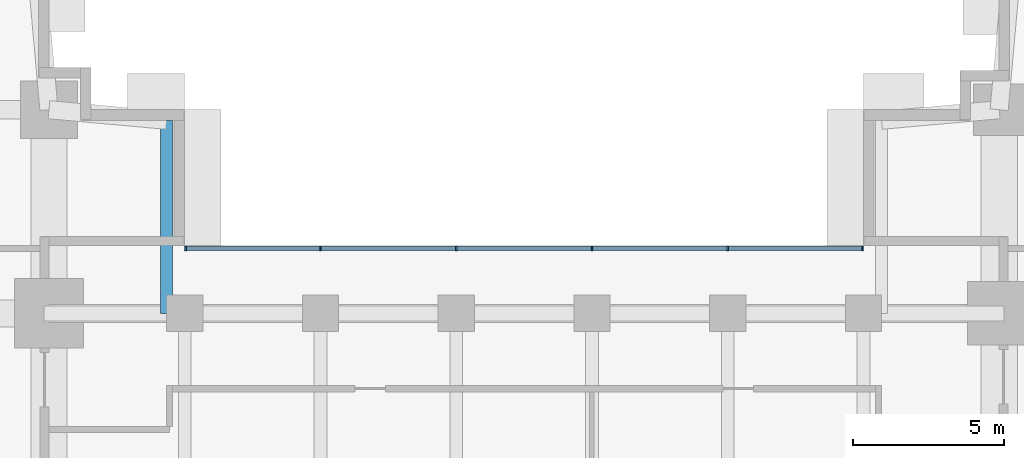
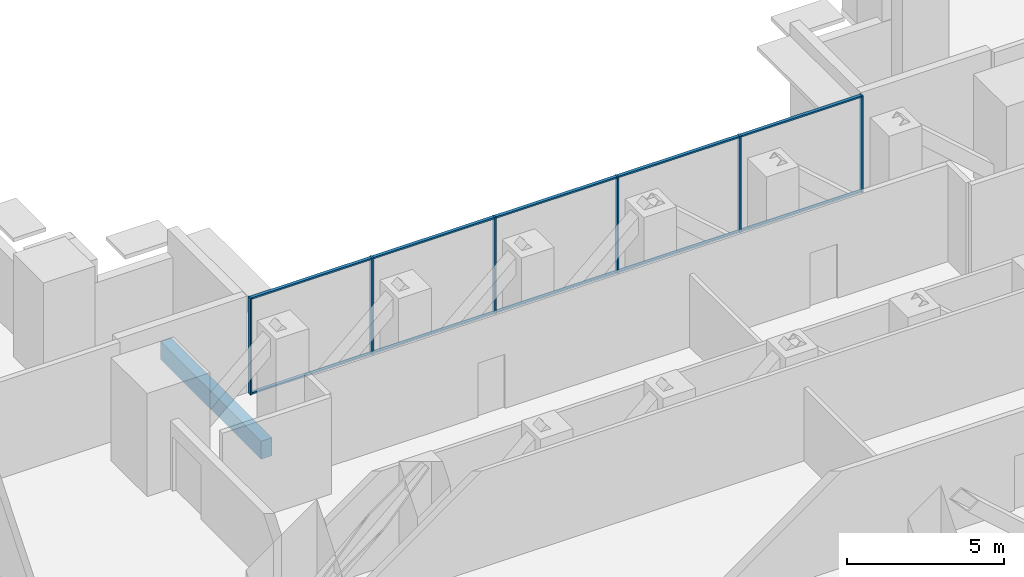
# One storey, part 4 of 16: 16 members, 1 beam, 1 element without a shape of its own.
"""IFC4 building model written with IfcOpenShell, lengths in metres."""

from ifc_helpers import new_model, si_unit, direction, frame, origin, origin_2d, place, context, subcontext, project, spatial, rectangle, extrude, material, layer, layer_set, material_profile, profile_set, type_object, element, aggregate, save


model = new_model("IFC4")

# Units and contexts
model_context = context("Model", 3, precision=1e-05, world=origin(), true_north=direction((0.0, 1.0)))
body_context = subcontext(model_context, "Body", "Model", "MODEL_VIEW")
ifc_project = project(units=[si_unit("LENGTHUNIT", "METRE"), si_unit("AREAUNIT", "SQUARE_METRE"), si_unit("VOLUMEUNIT", "CUBIC_METRE"), si_unit("PLANEANGLEUNIT", "RADIAN"), si_unit("MASSUNIT", "GRAM", prefix="KILO")], contexts=[model_context])

# Site, building, storey
site_placement = place(None, origin())
site = spatial("IfcSite", under=ifc_project, at=site_placement, CompositionType="ELEMENT")
building_placement = place(site_placement, origin())
building = spatial("IfcBuilding", under=site, at=building_placement, Name="Namib Vertical Campus", CompositionType="ELEMENT")
storey_placement = place(building_placement, frame((0.0, 0.0, 129.0)))
storey = spatial("IfcBuildingStorey", under=building, at=storey_placement, Name="L30", CompositionType="ELEMENT", Elevation=129.0)

# Curtain wall, members
ifc_material_1 = material(Name="Black aluminium curtain wall", Category="aluminium")
ifc_layer = layer(ifc_material_1, 0.199951171875)
ifc_layer_set = layer_set([ifc_layer], Name="Bridge curtain wall CW-BR")
curtain_wall_type = type_object("IfcCurtainWallType", Name="Bridge curtain wall CW-BR", PredefinedType="USERDEFINED", material=ifc_layer_set)
curtain_wall_placement = place(storey_placement, origin())
curtain_wall = element("IfcCurtainWall", 1, at=curtain_wall_placement, inside=storey, type_object=curtain_wall_type, Name="Curtain wall CW-BR L30 N", ObjectType="CURTAIN WALL", PredefinedType="USERDEFINED")
ifc_material_2 = material(Name="Black anodised aluminium", Category="aluminium")
ifc_material_profile_1 = material_profile(ifc_material_2, rectangle(XDim=0.06005859375, YDim=0.159912109375, at=origin_2d()))
ifc_profile_set_1 = profile_set([ifc_material_profile_1], Name="Black anodised aluminium")
member_type_1 = type_object("IfcMemberType", Name="Curtain wall mullion 60x160", PredefinedType="MULLION", material=ifc_profile_set_1)
member_1_placement = place(storey_placement, frame((62.969970703125, 31.39990234375, 0.0), z_axis=(0.0, 0.0, 1.0), x_axis=(-1.0, 0.0, 0.0)))
member_1 = element("IfcMember", 2, at=member_1_placement, type_object=member_type_1, Name="CW-BR mullion 1", PredefinedType="MULLION", context=body_context, shape_type="SweptSolid", body=[
    extrude(rectangle(XDim=0.06005859375, YDim=0.159912109375, at=origin_2d()), origin(), (0.0, 0.0, 1.0), 3.75),
])
member_2_placement = place(storey_placement, frame((58.5, 31.39990234375, 0.0), z_axis=(0.0, 0.0, 1.0), x_axis=(-1.0, 0.0, 0.0)))
member_2 = element("IfcMember", 3, at=member_2_placement, type_object=member_type_1, Name="CW-BR mullion 2", PredefinedType="MULLION", context=body_context, shape_type="SweptSolid", body=[
    extrude(rectangle(XDim=0.06005859375, YDim=0.159912109375, at=origin_2d()), origin(), (0.0, 0.0, 1.0), 3.75),
])
member_3_placement = place(storey_placement, frame((54.0, 31.39990234375, 0.0), z_axis=(0.0, 0.0, 1.0), x_axis=(-1.0, 0.0, 0.0)))
member_3 = element("IfcMember", 4, at=member_3_placement, type_object=member_type_1, Name="CW-BR mullion 3", PredefinedType="MULLION", context=body_context, shape_type="SweptSolid", body=[
    extrude(rectangle(XDim=0.06005859375, YDim=0.159912109375, at=origin_2d()), origin(), (0.0, 0.0, 1.0), 3.75),
])
member_4_placement = place(storey_placement, frame((49.5, 31.39990234375, 0.0), z_axis=(0.0, 0.0, 1.0), x_axis=(-1.0, 0.0, 0.0)))
member_4 = element("IfcMember", 5, at=member_4_placement, type_object=member_type_1, Name="CW-BR mullion 4", PredefinedType="MULLION", context=body_context, shape_type="SweptSolid", body=[
    extrude(rectangle(XDim=0.06005859375, YDim=0.159912109375, at=origin_2d()), origin(), (0.0, 0.0, 1.0), 3.75),
])
member_5_placement = place(storey_placement, frame((45.0, 31.39990234375, 0.0), z_axis=(0.0, 0.0, 1.0), x_axis=(-1.0, 0.0, 0.0)))
member_5 = element("IfcMember", 6, at=member_5_placement, type_object=member_type_1, Name="CW-BR mullion 5", PredefinedType="MULLION", context=body_context, shape_type="SweptSolid", body=[
    extrude(rectangle(XDim=0.06005859375, YDim=0.159912109375, at=origin_2d()), origin(), (0.0, 0.0, 1.0), 3.75),
])
member_6_placement = place(storey_placement, frame((40.530029296875, 31.39990234375, 0.0), z_axis=(0.0, 0.0, 1.0), x_axis=(-1.0, 0.0, 0.0)))
member_6 = element("IfcMember", 7, at=member_6_placement, type_object=member_type_1, Name="CW-BR mullion 6", PredefinedType="MULLION", context=body_context, shape_type="SweptSolid", body=[
    extrude(rectangle(XDim=0.06005859375, YDim=0.159912109375, at=origin_2d()), origin(), (0.0, 0.0, 1.0), 3.75),
])
ifc_material_3 = material(Name="Black anodised aluminium", Category="aluminium")
ifc_material_profile_2 = material_profile(ifc_material_3, rectangle(XDim=0.06005859375, YDim=0.1201171875, at=origin_2d()))
ifc_profile_set_2 = profile_set([ifc_material_profile_2], Name="Black anodised aluminium")
member_type_2 = type_object("IfcMemberType", Name="Curtain wall transom 60x120", PredefinedType="USERDEFINED", material=ifc_profile_set_2)
member_7_placement = place(storey_placement, frame((62.93994140625, 31.39990234375, 0.030029296875), z_axis=(-1.0, 0.0, 0.0), x_axis=(0.0, 0.0, 1.0)))
member_7 = element("IfcMember", 8, at=member_7_placement, type_object=member_type_2, Name="CW-BR transom 1.1", ObjectType="TRANSOM", PredefinedType="USERDEFINED", context=body_context, shape_type="SweptSolid", body=[
    extrude(rectangle(XDim=0.06005859375, YDim=0.1201171875, at=origin_2d()), origin(), (0.0, 0.0, 1.0), 4.409912109375),
])
member_8_placement = place(storey_placement, frame((62.93994140625, 31.39990234375, 3.719970703125), z_axis=(-1.0, 0.0, 0.0), x_axis=(0.0, 0.0, 1.0)))
member_8 = element("IfcMember", 9, at=member_8_placement, type_object=member_type_2, Name="CW-BR transom 1.2", ObjectType="TRANSOM", PredefinedType="USERDEFINED", context=body_context, shape_type="SweptSolid", body=[
    extrude(rectangle(XDim=0.06005859375, YDim=0.1201171875, at=origin_2d()), origin(), (0.0, 0.0, 1.0), 4.409912109375),
])
member_9_placement = place(storey_placement, frame((58.469970703125, 31.39990234375, 0.030029296875), z_axis=(-1.0, 0.0, 0.0), x_axis=(0.0, 0.0, 1.0)))
member_9 = element("IfcMember", 10, at=member_9_placement, type_object=member_type_2, Name="CW-BR transom 2.1", ObjectType="TRANSOM", PredefinedType="USERDEFINED", context=body_context, shape_type="SweptSolid", body=[
    extrude(rectangle(XDim=0.06005859375, YDim=0.1201171875, at=origin_2d()), origin(), (0.0, 0.0, 1.0), 4.43994140625),
])
member_10_placement = place(storey_placement, frame((58.469970703125, 31.39990234375, 3.719970703125), z_axis=(-1.0, 0.0, 0.0), x_axis=(0.0, 0.0, 1.0)))
member_10 = element("IfcMember", 11, at=member_10_placement, type_object=member_type_2, Name="CW-BR transom 2.2", ObjectType="TRANSOM", PredefinedType="USERDEFINED", context=body_context, shape_type="SweptSolid", body=[
    extrude(rectangle(XDim=0.06005859375, YDim=0.1201171875, at=origin_2d()), origin(), (0.0, 0.0, 1.0), 4.43994140625),
])
member_11_placement = place(storey_placement, frame((53.969970703125, 31.39990234375, 0.030029296875), z_axis=(-1.0, 0.0, 0.0), x_axis=(0.0, 0.0, 1.0)))
member_11 = element("IfcMember", 12, at=member_11_placement, type_object=member_type_2, Name="CW-BR transom 3.1", ObjectType="TRANSOM", PredefinedType="USERDEFINED", context=body_context, shape_type="SweptSolid", body=[
    extrude(rectangle(XDim=0.06005859375, YDim=0.1201171875, at=origin_2d()), origin(), (0.0, 0.0, 1.0), 4.43994140625),
])
member_12_placement = place(storey_placement, frame((53.969970703125, 31.39990234375, 3.719970703125), z_axis=(-1.0, 0.0, 0.0), x_axis=(0.0, 0.0, 1.0)))
member_12 = element("IfcMember", 13, at=member_12_placement, type_object=member_type_2, Name="CW-BR transom 3.2", ObjectType="TRANSOM", PredefinedType="USERDEFINED", context=body_context, shape_type="SweptSolid", body=[
    extrude(rectangle(XDim=0.06005859375, YDim=0.1201171875, at=origin_2d()), origin(), (0.0, 0.0, 1.0), 4.43994140625),
])
member_13_placement = place(storey_placement, frame((49.469970703125, 31.39990234375, 0.030029296875), z_axis=(-1.0, 0.0, 0.0), x_axis=(0.0, 0.0, 1.0)))
member_13 = element("IfcMember", 14, at=member_13_placement, type_object=member_type_2, Name="CW-BR transom 4.1", ObjectType="TRANSOM", PredefinedType="USERDEFINED", context=body_context, shape_type="SweptSolid", body=[
    extrude(rectangle(XDim=0.06005859375, YDim=0.1201171875, at=origin_2d()), origin(), (0.0, 0.0, 1.0), 4.43994140625),
])
member_14_placement = place(storey_placement, frame((49.469970703125, 31.39990234375, 3.719970703125), z_axis=(-1.0, 0.0, 0.0), x_axis=(0.0, 0.0, 1.0)))
member_14 = element("IfcMember", 15, at=member_14_placement, type_object=member_type_2, Name="CW-BR transom 4.2", ObjectType="TRANSOM", PredefinedType="USERDEFINED", context=body_context, shape_type="SweptSolid", body=[
    extrude(rectangle(XDim=0.06005859375, YDim=0.1201171875, at=origin_2d()), origin(), (0.0, 0.0, 1.0), 4.43994140625),
])
member_15_placement = place(storey_placement, frame((44.969970703125, 31.39990234375, 0.030029296875), z_axis=(-1.0, 0.0, 0.0), x_axis=(0.0, 0.0, 1.0)))
member_15 = element("IfcMember", 16, at=member_15_placement, type_object=member_type_2, Name="CW-BR transom 5.1", ObjectType="TRANSOM", PredefinedType="USERDEFINED", context=body_context, shape_type="SweptSolid", body=[
    extrude(rectangle(XDim=0.06005859375, YDim=0.1201171875, at=origin_2d()), origin(), (0.0, 0.0, 1.0), 4.409912109375),
])
member_16_placement = place(storey_placement, frame((44.969970703125, 31.39990234375, 3.719970703125), z_axis=(-1.0, 0.0, 0.0), x_axis=(0.0, 0.0, 1.0)))
member_16 = element("IfcMember", 17, at=member_16_placement, type_object=member_type_2, Name="CW-BR transom 5.2", ObjectType="TRANSOM", PredefinedType="USERDEFINED", context=body_context, shape_type="SweptSolid", body=[
    extrude(rectangle(XDim=0.06005859375, YDim=0.1201171875, at=origin_2d()), origin(), (0.0, 0.0, 1.0), 4.409912109375),
])
aggregate(curtain_wall, [member_1, member_2, member_3, member_4, member_5, member_6, member_7, member_8, member_9, member_10, member_11, member_12, member_13, member_14, member_15, member_16])

# Beam
ifc_material_4 = material(Name="Concrete C40/50", Category="concrete")
ifc_material_profile_3 = material_profile(ifc_material_4, rectangle(XDim=0.39990234375, YDim=0.699951171875, at=origin_2d()))
ifc_profile_set_3 = profile_set([ifc_material_profile_3], Name="Concrete C40/50")
beam_type = type_object("IfcBeamType", Name="Edge beam RC 400x700", PredefinedType="SPANDREL", material=ifc_profile_set_3)
beam_placement = place(storey_placement, frame((39.89990234375, 29.25, -0.60009765625), z_axis=(0.0, 1.0, 0.0), x_axis=(-1.0, 0.0, 0.0)))
element("IfcBeam", 18, at=beam_placement, inside=storey, type_object=beam_type, Name="Beam B4 L30", PredefinedType="SPANDREL", context=body_context, shape_type="SweptSolid", body=[
    extrude(rectangle(XDim=0.39990234375, YDim=0.699951171875, at=origin_2d()), origin(), (0.0, 0.0, 1.0), 6.39990234375),
])

save(model, "model.ifc")
